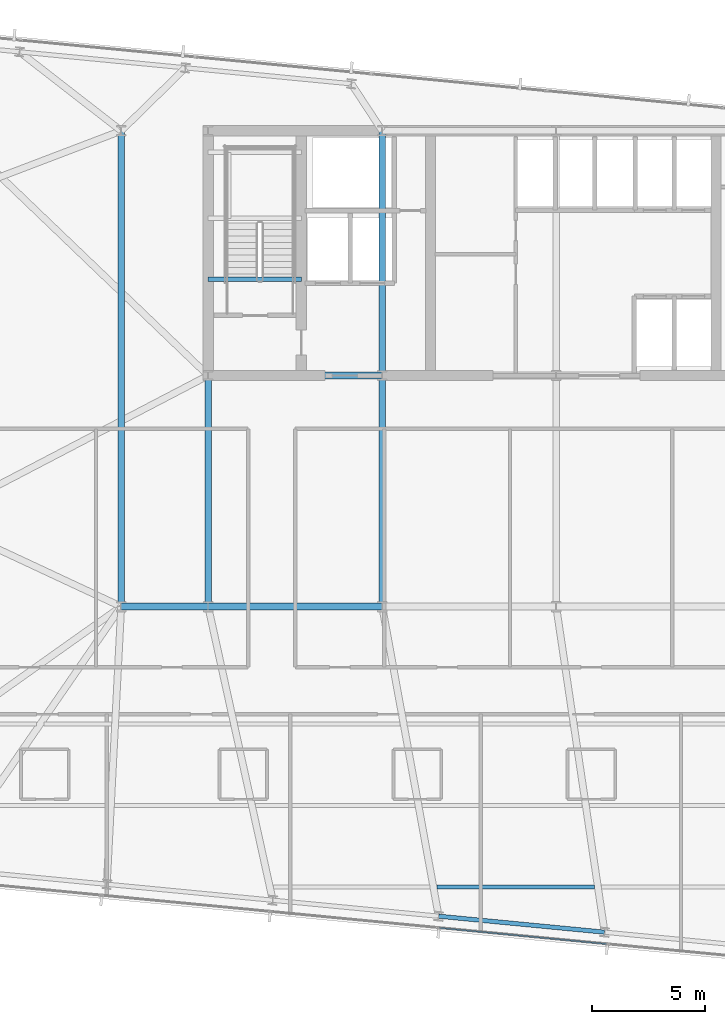
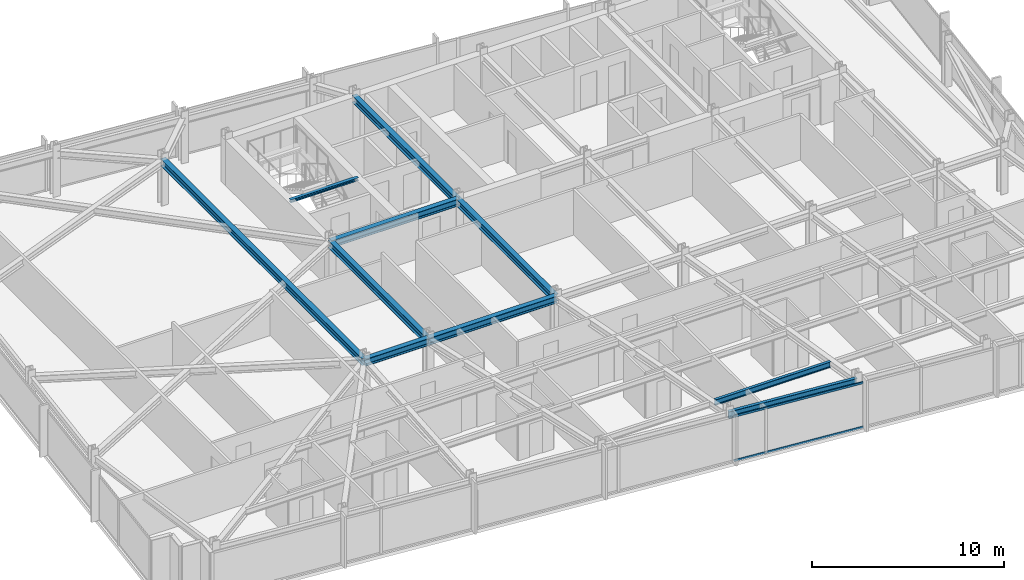
# One storey, part 11 of 37: 10 beams, 2 members, 1 element without a shape of its own.
"""IFC4 building model written with IfcOpenShell, lengths in metres."""

from ifc_helpers import new_model, si_unit, direction, frame, origin, origin_2d, place, context, subcontext, project, spatial, hollow_rectangle, i_section, extrude, material, material_profile, profile_set, type_object, element, aggregate, save


model = new_model("IFC4")

# Units and contexts
model_context = context("Model", 3, precision=1e-05, world=origin(), true_north=direction((0.0, 1.0)))
body_context = subcontext(model_context, "Body", "Model", "MODEL_VIEW")
ifc_project = project(units=[si_unit("LENGTHUNIT", "METRE"), si_unit("AREAUNIT", "SQUARE_METRE"), si_unit("VOLUMEUNIT", "CUBIC_METRE"), si_unit("PLANEANGLEUNIT", "RADIAN"), si_unit("MASSUNIT", "GRAM", prefix="KILO")], contexts=[model_context])

# Site, building, storey
site_placement = place(None, origin())
site = spatial("IfcSite", under=ifc_project, at=site_placement, CompositionType="ELEMENT")
building_placement = place(site_placement, origin())
building = spatial("IfcBuilding", under=site, at=building_placement, Name="Yelkora Congress Tower", CompositionType="ELEMENT")
storey_placement = place(building_placement, frame((0.0, 0.0, 188.60009765625)))
storey = spatial("IfcBuildingStorey", under=building, at=storey_placement, Name="L52", CompositionType="ELEMENT", Elevation=188.60009765625)

# Beams
ifc_material_1 = material(Name="Steel S355J2", Category="steel")
ifc_material_profile_1 = material_profile(ifc_material_1, i_section(OverallWidth=0.300048828125, OverallDepth=0.449951171875, WebThickness=0.013916015625, FlangeThickness=0.02587890625, FilletRadius=0.027099609375, at=origin_2d()), Name="HEB 450")
ifc_profile_set_1 = profile_set([ifc_material_profile_1], Name="Steel S355J2")
beam_type_1 = type_object("IfcBeamType", Name="BM-GIRD-HEB450", PredefinedType="BEAM", material=ifc_profile_set_1)
beam_1_placement = place(storey_placement, frame((19.199951171875, 25.199951171875, 2.65478515625), z_axis=(1.0, 0.0, 0.0), x_axis=(0.0, 1.0, 0.0)))
element("IfcBeam", 1, at=beam_1_placement, inside=storey, type_object=beam_type_1, Name="L52 Spine Grid D Girder 1", PredefinedType="BEAM", context=body_context, shape_type="SweptSolid", body=[
    extrude(i_section(OverallWidth=0.300048828125, OverallDepth=0.449951171875, WebThickness=0.013916015625, FlangeThickness=0.02587890625, FilletRadius=0.027099609375, at=origin_2d()), origin(), (0.0, 0.0, 1.0), 3.840087890625),
])
for number, where, z_axis, x_axis, name in (
    (2, (23.0400390625, 25.199951171875, 2.65478515625), (1.0, 0.0, 0.0), (0.0, 1.0, 0.0), "L52 Spine Grid D Girder 2"),
    (3, (23.0400390625, 35.39990234375, 2.65478515625), (1.0, 0.0, 0.0), (0.0, 1.0, 0.0), "L52 Core South Girder 1"),
):
    element("IfcBeam", number, at=place(storey_placement, frame(where, z_axis=z_axis, x_axis=x_axis)), inside=storey, type_object=beam_type_1, Name=name, PredefinedType="BEAM", context=body_context, shape_type="SweptSolid", body=[
        extrude(i_section(OverallWidth=0.300048828125, OverallDepth=0.449951171875, WebThickness=0.013916015625, FlangeThickness=0.02587890625, FilletRadius=0.027099609375, at=origin_2d()), origin(), (0.0, 0.0, 1.0), 7.679931640625),
    ])
for number, where, z_axis, x_axis, name in (
    (4, (23.0400390625, 25.199951171875, 2.65478515625), (0.0, 1.0, 0.0), (-1.0, 0.0, 0.0), "L52 Core Tie Girder MC-D1"),
    (5, (30.719970703125, 25.199951171875, 2.65478515625), (0.0, 1.0, 0.0), (-1.0, 0.0, 0.0), "L52 Core Tie Girder MC-D2"),
):
    element("IfcBeam", number, at=place(storey_placement, frame(where, z_axis=z_axis, x_axis=x_axis)), inside=storey, type_object=beam_type_1, Name=name, PredefinedType="BEAM", context=body_context, shape_type="SweptSolid", body=[
        extrude(i_section(OverallWidth=0.300048828125, OverallDepth=0.449951171875, WebThickness=0.013916015625, FlangeThickness=0.02587890625, FilletRadius=0.027099609375, at=origin_2d()), origin(), (0.0, 0.0, 1.0), 10.199951171875),
    ])
beam_2_placement = place(storey_placement, frame((30.719970703125, 35.39990234375, 2.65478515625), z_axis=(0.0, 1.0, 0.0), x_axis=(-1.0, 0.0, 0.0)))
element("IfcBeam", 6, at=beam_2_placement, inside=storey, type_object=beam_type_1, Name="L52 Core Tie Girder MC-S2", PredefinedType="BEAM", context=body_context, shape_type="SweptSolid", body=[
    extrude(i_section(OverallWidth=0.300048828125, OverallDepth=0.449951171875, WebThickness=0.013916015625, FlangeThickness=0.02587890625, FilletRadius=0.027099609375, at=origin_2d()), origin(), (0.0, 0.0, 1.0), 10.800048828125),
])
beam_3_placement = place(storey_placement, frame((19.199951171875, 25.199951171875, 2.65478515625), z_axis=(0.0, 1.0, 0.0), x_axis=(-1.0, 0.0, 0.0)))
element("IfcBeam", 7, at=beam_3_placement, inside=storey, type_object=beam_type_1, Name="L52 Neck Flank Girder MC-F1", PredefinedType="BEAM", context=body_context, shape_type="SweptSolid", body=[
    extrude(i_section(OverallWidth=0.300048828125, OverallDepth=0.449951171875, WebThickness=0.013916015625, FlangeThickness=0.02587890625, FilletRadius=0.027099609375, at=origin_2d()), origin(), (0.0, 0.0, 1.0), 21.0),
])
ifc_material_profile_2 = material_profile(ifc_material_1, i_section(OverallWidth=0.169921875, OverallDepth=0.360107421875, WebThickness=0.008056640625, FlangeThickness=0.0126953125, FilletRadius=0.01806640625, at=origin_2d()), Name="IPE 360")
ifc_profile_set_2 = profile_set([ifc_material_profile_2], Name="Steel S355J2")
beam_type_2 = type_object("IfcBeamType", Name="BM-JOIST-IPE360", PredefinedType="JOIST", material=ifc_profile_set_2)
beam_4_placement = place(storey_placement, frame((33.137939453125, 12.8212890625, 2.699951171875), z_axis=(1.0, 0.0, 0.0), x_axis=(0.0, 1.0, 0.0)))
element("IfcBeam", 8, at=beam_4_placement, inside=storey, type_object=beam_type_2, Name="L52 Composite Floor Joist 2", PredefinedType="JOIST", context=body_context, shape_type="SweptSolid", body=[
    extrude(i_section(OverallWidth=0.169921875, OverallDepth=0.360107421875, WebThickness=0.008056640625, FlangeThickness=0.0126953125, FilletRadius=0.01806640625, at=origin_2d()), origin(), (0.0, 0.0, 1.0), 6.94189453125),
])
ifc_material_profile_3 = material_profile(ifc_material_1, i_section(OverallWidth=0.199951171875, OverallDepth=0.18994140625, WebThickness=0.006591796875, FlangeThickness=0.010009765625, FilletRadius=0.01806640625, at=origin_2d()), Name="HEA 200")
ifc_profile_set_3 = profile_set([ifc_material_profile_3], Name="Steel S355J2")
beam_type_3 = type_object("IfcBeamType", Name="BM-LAND-HEA200", PredefinedType="BEAM", material=ifc_profile_set_3)
beam_5_placement = place(storey_placement, frame((23.0400390625, 39.639892578125, 2.784423828125), z_axis=(1.0, 0.0, 0.0), x_axis=(0.0, 1.0, 0.0)))
element("IfcBeam", 9, at=beam_5_placement, inside=storey, type_object=beam_type_3, Name="ST-01 L52 Floor Arrival Stringer Header Beam", PredefinedType="BEAM", context=body_context, shape_type="SweptSolid", body=[
    extrude(i_section(OverallWidth=0.199951171875, OverallDepth=0.18994140625, WebThickness=0.006591796875, FlangeThickness=0.010009765625, FilletRadius=0.01806640625, at=origin_2d()), origin(), (0.0, 0.0, 1.0), 4.10986328125),
])
ifc_material_profile_4 = material_profile(ifc_material_1, i_section(OverallWidth=0.18994140625, OverallDepth=0.449951171875, WebThickness=0.009521484375, FlangeThickness=0.0146484375, FilletRadius=0.02099609375, at=origin_2d()), Name="IPE 450")
ifc_profile_set_4 = profile_set([ifc_material_profile_4], Name="Steel S355J2")
beam_type_4 = type_object("IfcBeamType", Name="BM-SPAN-IPE450", PredefinedType="SPANDREL", material=ifc_profile_set_4)
beam_6_placement = place(storey_placement, frame((33.21240234375, 11.53662109375, 2.65478515625), z_axis=(0.995397104697, -0.095836339457, 0.0), x_axis=(0.095836339457, 0.995397104697, 0.0)))
element("IfcBeam", 10, at=beam_6_placement, inside=storey, type_object=beam_type_4, Name="L52 Perimeter Beam 6", PredefinedType="SPANDREL", context=body_context, shape_type="SweptSolid", body=[
    extrude(i_section(OverallWidth=0.18994140625, OverallDepth=0.449951171875, WebThickness=0.009521484375, FlangeThickness=0.0146484375, FilletRadius=0.02099609375, at=origin_2d()), origin(), (0.0, 0.0, 1.0), 7.357177734375),
])

# Curtain wall, members
ifc_material_2 = material(Name="Anodised aluminium and insulated glass", Category="aluminium")
curtain_wall_type = type_object("IfcCurtainWallType", Name="CW-SYS-B3", PredefinedType="NOTDEFINED", material=ifc_material_2)
curtain_wall_placement = place(storey_placement, origin())
curtain_wall = element("IfcCurtainWall", 11, at=curtain_wall_placement, inside=storey, type_object=curtain_wall_type, Name="L52 Unitised Curtain Wall 20", PredefinedType="NOTDEFINED")
ifc_material_3 = material(Name="Anodised aluminium 6063-T6", Category="aluminium")
ifc_material_profile_5 = material_profile(ifc_material_3, hollow_rectangle(XDim=0.06005859375, YDim=0.1298828125, WallThickness=0.00390625, at=origin_2d()), Name="ALU 60x130x4")
ifc_profile_set_5 = profile_set([ifc_material_profile_5], Name="Anodised aluminium 6063-T6")
member_type = type_object("IfcMemberType", Name="MEM-TR-B3", PredefinedType="USERDEFINED", material=ifc_profile_set_5)
member_1_placement = place(storey_placement, frame((40.626708984375, 10.310302734375, 0.02978515625), z_axis=(-0.99539548672, 0.095853142967, 0.0), x_axis=(-0.095853142967, -0.99539548672, 0.0)))
member_1 = element("IfcMember", 12, at=member_1_placement, type_object=member_type, Name="CW-B3 transom 3.1", ObjectType="TRANSOM", PredefinedType="USERDEFINED", context=body_context, shape_type="SweptSolid", body=[
    extrude(hollow_rectangle(XDim=0.06005859375, YDim=0.1298828125, WallThickness=0.00390625, at=origin_2d()), origin(), (0.0, 0.0, 1.0), 7.404296875),
])
member_2_placement = place(storey_placement, frame((40.626708984375, 10.310302734375, 2.849853515625), z_axis=(-0.99539548672, 0.095853142967, 0.0), x_axis=(-0.095853142967, -0.99539548672, 0.0)))
member_2 = element("IfcMember", 13, at=member_2_placement, type_object=member_type, Name="CW-B3 transom 3.2", ObjectType="TRANSOM", PredefinedType="USERDEFINED", context=body_context, shape_type="SweptSolid", body=[
    extrude(hollow_rectangle(XDim=0.06005859375, YDim=0.1298828125, WallThickness=0.00390625, at=origin_2d()), origin(), (0.0, 0.0, 1.0), 7.404296875),
])
aggregate(curtain_wall, [member_1, member_2])

save(model, "model.ifc")
